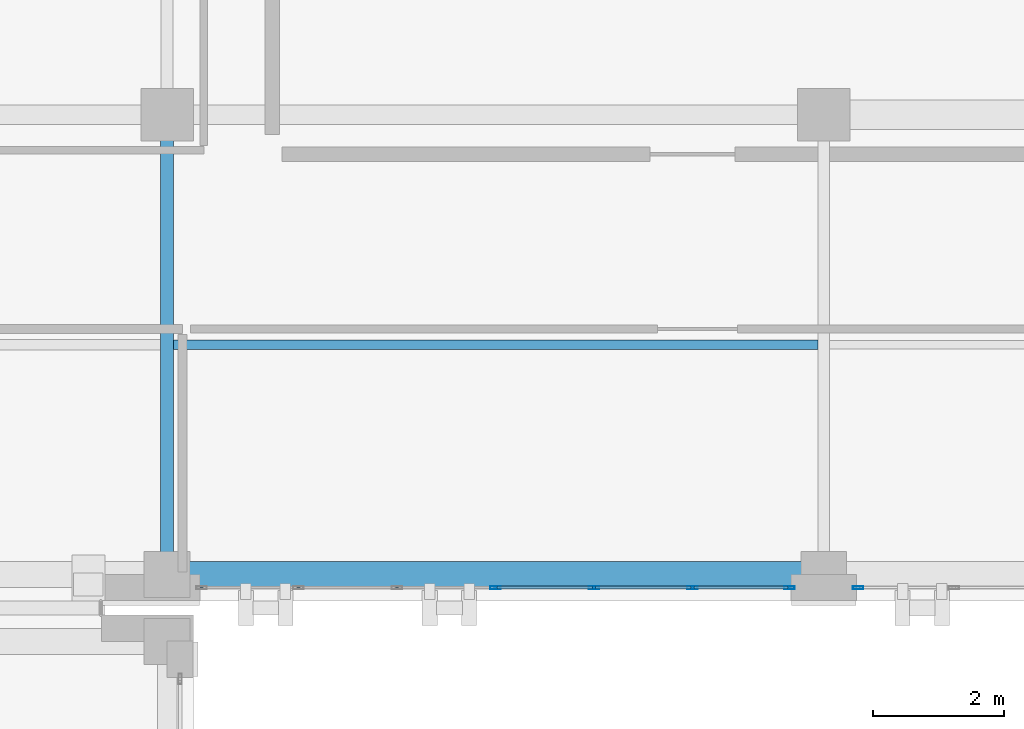
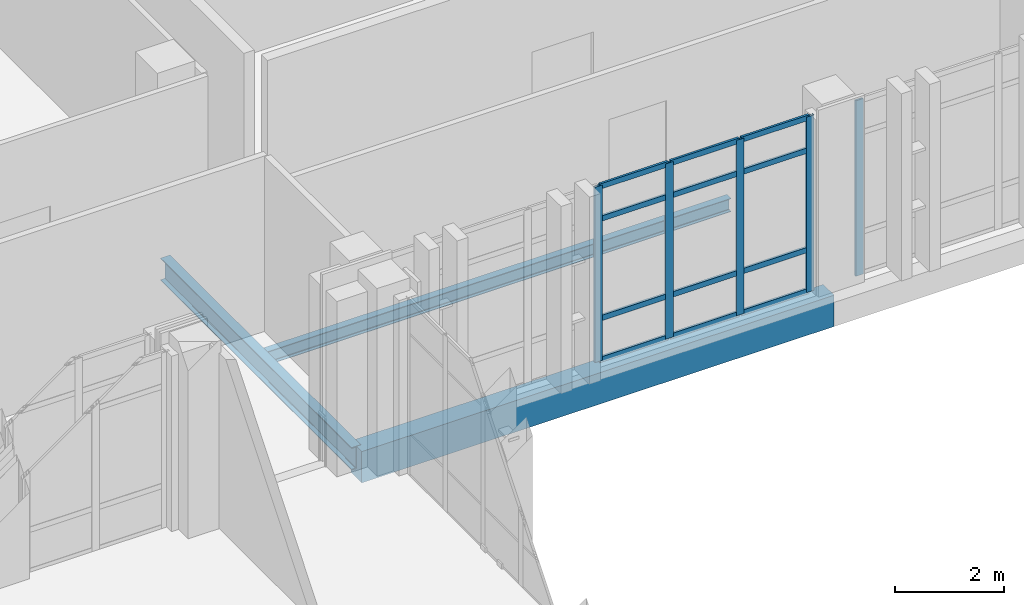
# One storey, part 79 of 158: 17 members, 3 beams, 2 elements without a shape of their own.
"""IFC4 building model written with IfcOpenShell, lengths in metres."""

from ifc_helpers import new_model, si_unit, direction, frame, origin, origin_2d, place, context, subcontext, project, spatial, rectangle, hollow_rectangle, i_section, extrude, material, layer, layer_set, material_profile, profile_set, type_object, element, aggregate, save


model = new_model("IFC4")

# Units and contexts
model_context = context("Model", 3, precision=1e-05, world=origin(), true_north=direction((0.0, 1.0)))
body_context = subcontext(model_context, "Body", "Model", "MODEL_VIEW")
ifc_project = project(units=[si_unit("LENGTHUNIT", "METRE"), si_unit("AREAUNIT", "SQUARE_METRE"), si_unit("VOLUMEUNIT", "CUBIC_METRE"), si_unit("PLANEANGLEUNIT", "RADIAN"), si_unit("MASSUNIT", "GRAM", prefix="KILO")], contexts=[model_context])

# Site, building, storey
site_placement = place(None, origin())
site = spatial("IfcSite", under=ifc_project, at=site_placement, CompositionType="ELEMENT")
building_placement = place(site_placement, origin())
building = spatial("IfcBuilding", under=site, at=building_placement, Name="Qalavern Law Courts", CompositionType="ELEMENT")
storey_placement = place(building_placement, frame((0.0, 0.0, 18.60009765625)))
storey = spatial("IfcBuildingStorey", under=building, at=storey_placement, Name="L04", CompositionType="ELEMENT", Elevation=18.60009765625)

# Curtain wall, members
ifc_material_1 = material(Name="Anodised aluminium and insulated glazing", Category="aluminium")
ifc_layer = layer(ifc_material_1, 0.166015625)
ifc_layer_set = layer_set([ifc_layer], Name="Anodised aluminium and insulated glazing")
curtain_wall_type = type_object("IfcCurtainWallType", Name="ENV-CW-LIB", PredefinedType="USERDEFINED", material=ifc_layer_set)
curtain_wall_1_placement = place(storey_placement, origin())
curtain_wall_1 = element("IfcCurtainWall", 1, at=curtain_wall_1_placement, inside=storey, type_object=curtain_wall_type, Name="V5 unitised curtain wall L04 south 1", ObjectType="UNITISED CURTAIN WALL", PredefinedType="USERDEFINED")
ifc_material_2 = material(Name="Anodised aluminium", Category="aluminium")
ifc_material_profile_1 = material_profile(ifc_material_2, hollow_rectangle(XDim=0.048095703125, YDim=0.159912109375, WallThickness=0.00390625, at=origin_2d()), Name="ALU MULLION 48x160")
ifc_profile_set_1 = profile_set([ifc_material_profile_1], Name="Anodised aluminium")
member_type_1 = type_object("IfcMemberType", Name="ENV-CWM-48x160", PredefinedType="MULLION", material=ifc_profile_set_1)
member_1_placement = place(storey_placement, frame((23.39990234375, 96.39990234375, 0.0), z_axis=(0.0, 0.0, 1.0), x_axis=(0.0, 1.0, 0.0)))
member_1 = element("IfcMember", 2, at=member_1_placement, type_object=member_type_1, Name="CW-05 mullion 4", PredefinedType="MULLION", context=body_context, shape_type="SweptSolid", body=[
    extrude(hollow_rectangle(XDim=0.048095703125, YDim=0.159912109375, WallThickness=0.00390625, at=origin_2d()), origin(), (0.0, 0.0, 1.0), 3.9248046875),
])
member_2_placement = place(storey_placement, frame((24.89990234375, 96.39990234375, 0.0), z_axis=(0.0, 0.0, 1.0), x_axis=(0.0, 1.0, 0.0)))
member_2 = element("IfcMember", 3, at=member_2_placement, type_object=member_type_1, Name="CW-05 mullion 5", PredefinedType="MULLION", context=body_context, shape_type="SweptSolid", body=[
    extrude(hollow_rectangle(XDim=0.048095703125, YDim=0.159912109375, WallThickness=0.00390625, at=origin_2d()), origin(), (0.0, 0.0, 1.0), 3.9248046875),
])
member_3_placement = place(storey_placement, frame((26.39990234375, 96.39990234375, 0.0), z_axis=(0.0, 0.0, 1.0), x_axis=(0.0, 1.0, 0.0)))
member_3 = element("IfcMember", 4, at=member_3_placement, type_object=member_type_1, Name="CW-05 mullion 6", PredefinedType="MULLION", context=body_context, shape_type="SweptSolid", body=[
    extrude(hollow_rectangle(XDim=0.048095703125, YDim=0.159912109375, WallThickness=0.00390625, at=origin_2d()), origin(), (0.0, 0.0, 1.0), 3.9248046875),
])
member_4_placement = place(storey_placement, frame((27.8759765625, 96.39990234375, 0.0), z_axis=(0.0, 0.0, 1.0), x_axis=(0.0, 1.0, 0.0)))
member_4 = element("IfcMember", 5, at=member_4_placement, type_object=member_type_1, Name="CW-05 mullion 7", PredefinedType="MULLION", context=body_context, shape_type="SweptSolid", body=[
    extrude(hollow_rectangle(XDim=0.048095703125, YDim=0.159912109375, WallThickness=0.00390625, at=origin_2d()), origin(), (0.0, 0.0, 1.0), 3.9248046875),
])

# Curtain wall, member
curtain_wall_2_placement = place(storey_placement, origin())
curtain_wall_2 = element("IfcCurtainWall", 6, at=curtain_wall_2_placement, inside=storey, type_object=curtain_wall_type, Name="V5 unitised curtain wall L04 south 2", ObjectType="UNITISED CURTAIN WALL", PredefinedType="USERDEFINED")
member_5_placement = place(storey_placement, frame((28.924072265625, 96.39990234375, 0.0), z_axis=(0.0, 0.0, 1.0), x_axis=(0.0, 1.0, 0.0)))
member_5 = element("IfcMember", 7, at=member_5_placement, type_object=member_type_1, Name="CW-05 mullion 1", PredefinedType="MULLION", context=body_context, shape_type="SweptSolid", body=[
    extrude(hollow_rectangle(XDim=0.048095703125, YDim=0.159912109375, WallThickness=0.00390625, at=origin_2d()), origin(), (0.0, 0.0, 1.0), 3.9248046875),
])
aggregate(curtain_wall_2, [member_5])

# Member
ifc_material_profile_2 = material_profile(ifc_material_2, hollow_rectangle(XDim=0.048095703125, YDim=0.1201171875, WallThickness=0.00390625, at=origin_2d()), Name="ALU TRANSOM 48x120")
ifc_profile_set_2 = profile_set([ifc_material_profile_2], Name="Anodised aluminium")
member_type_2 = type_object("IfcMemberType", Name="ENV-CWT-48x120", PredefinedType="USERDEFINED", material=ifc_profile_set_2)
member_6_placement = place(storey_placement, frame((23.424072265625, 96.39990234375, 0.02392578125), z_axis=(1.0, 0.0, 0.0), x_axis=(0.0, 1.0, 0.0)))
member_6 = element("IfcMember", 8, at=member_6_placement, type_object=member_type_2, Name="CW-05 transom 4.1", ObjectType="TRANSOM", PredefinedType="USERDEFINED", context=body_context, shape_type="SweptSolid", body=[
    extrude(hollow_rectangle(XDim=0.048095703125, YDim=0.1201171875, WallThickness=0.00390625, at=origin_2d()), origin(), (0.0, 0.0, 1.0), 1.451904296875),
])

member_7_placement = place(storey_placement, frame((23.424072265625, 96.39990234375, 0.949951171875), z_axis=(1.0, 0.0, 0.0), x_axis=(0.0, 1.0, 0.0)))
member_7 = element("IfcMember", 9, at=member_7_placement, type_object=member_type_2, Name="CW-05 transom 4.2", ObjectType="TRANSOM", PredefinedType="USERDEFINED", context=body_context, shape_type="SweptSolid", body=[
    extrude(hollow_rectangle(XDim=0.048095703125, YDim=0.1201171875, WallThickness=0.00390625, at=origin_2d()), origin(), (0.0, 0.0, 1.0), 1.451904296875),
])

member_8_placement = place(storey_placement, frame((23.424072265625, 96.39990234375, 3.1748046875), z_axis=(1.0, 0.0, 0.0), x_axis=(0.0, 1.0, 0.0)))
member_8 = element("IfcMember", 10, at=member_8_placement, type_object=member_type_2, Name="CW-05 transom 4.3", ObjectType="TRANSOM", PredefinedType="USERDEFINED", context=body_context, shape_type="SweptSolid", body=[
    extrude(hollow_rectangle(XDim=0.048095703125, YDim=0.1201171875, WallThickness=0.00390625, at=origin_2d()), origin(), (0.0, 0.0, 1.0), 1.451904296875),
])

member_9_placement = place(storey_placement, frame((23.424072265625, 96.39990234375, 3.90087890625), z_axis=(1.0, 0.0, 0.0), x_axis=(0.0, 1.0, 0.0)))
member_9 = element("IfcMember", 11, at=member_9_placement, type_object=member_type_2, Name="CW-05 transom 4.4", ObjectType="TRANSOM", PredefinedType="USERDEFINED", context=body_context, shape_type="SweptSolid", body=[
    extrude(hollow_rectangle(XDim=0.048095703125, YDim=0.1201171875, WallThickness=0.00390625, at=origin_2d()), origin(), (0.0, 0.0, 1.0), 1.451904296875),
])

member_10_placement = place(storey_placement, frame((24.924072265625, 96.39990234375, 0.02392578125), z_axis=(1.0, 0.0, 0.0), x_axis=(0.0, 1.0, 0.0)))
member_10 = element("IfcMember", 12, at=member_10_placement, type_object=member_type_2, Name="CW-05 transom 5.1", ObjectType="TRANSOM", PredefinedType="USERDEFINED", context=body_context, shape_type="SweptSolid", body=[
    extrude(hollow_rectangle(XDim=0.048095703125, YDim=0.1201171875, WallThickness=0.00390625, at=origin_2d()), origin(), (0.0, 0.0, 1.0), 1.451904296875),
])

member_11_placement = place(storey_placement, frame((24.924072265625, 96.39990234375, 0.949951171875), z_axis=(1.0, 0.0, 0.0), x_axis=(0.0, 1.0, 0.0)))
member_11 = element("IfcMember", 13, at=member_11_placement, type_object=member_type_2, Name="CW-05 transom 5.2", ObjectType="TRANSOM", PredefinedType="USERDEFINED", context=body_context, shape_type="SweptSolid", body=[
    extrude(hollow_rectangle(XDim=0.048095703125, YDim=0.1201171875, WallThickness=0.00390625, at=origin_2d()), origin(), (0.0, 0.0, 1.0), 1.451904296875),
])

member_12_placement = place(storey_placement, frame((24.924072265625, 96.39990234375, 3.1748046875), z_axis=(1.0, 0.0, 0.0), x_axis=(0.0, 1.0, 0.0)))
member_12 = element("IfcMember", 14, at=member_12_placement, type_object=member_type_2, Name="CW-05 transom 5.3", ObjectType="TRANSOM", PredefinedType="USERDEFINED", context=body_context, shape_type="SweptSolid", body=[
    extrude(hollow_rectangle(XDim=0.048095703125, YDim=0.1201171875, WallThickness=0.00390625, at=origin_2d()), origin(), (0.0, 0.0, 1.0), 1.451904296875),
])

member_13_placement = place(storey_placement, frame((24.924072265625, 96.39990234375, 3.90087890625), z_axis=(1.0, 0.0, 0.0), x_axis=(0.0, 1.0, 0.0)))
member_13 = element("IfcMember", 15, at=member_13_placement, type_object=member_type_2, Name="CW-05 transom 5.4", ObjectType="TRANSOM", PredefinedType="USERDEFINED", context=body_context, shape_type="SweptSolid", body=[
    extrude(hollow_rectangle(XDim=0.048095703125, YDim=0.1201171875, WallThickness=0.00390625, at=origin_2d()), origin(), (0.0, 0.0, 1.0), 1.451904296875),
])

member_14_placement = place(storey_placement, frame((26.424072265625, 96.39990234375, 0.02392578125), z_axis=(1.0, 0.0, 0.0), x_axis=(0.0, 1.0, 0.0)))
member_14 = element("IfcMember", 16, at=member_14_placement, type_object=member_type_2, Name="CW-05 transom 6.1", ObjectType="TRANSOM", PredefinedType="USERDEFINED", context=body_context, shape_type="SweptSolid", body=[
    extrude(hollow_rectangle(XDim=0.048095703125, YDim=0.1201171875, WallThickness=0.00390625, at=origin_2d()), origin(), (0.0, 0.0, 1.0), 1.427978515625),
])

member_15_placement = place(storey_placement, frame((26.424072265625, 96.39990234375, 0.949951171875), z_axis=(1.0, 0.0, 0.0), x_axis=(0.0, 1.0, 0.0)))
member_15 = element("IfcMember", 17, at=member_15_placement, type_object=member_type_2, Name="CW-05 transom 6.2", ObjectType="TRANSOM", PredefinedType="USERDEFINED", context=body_context, shape_type="SweptSolid", body=[
    extrude(hollow_rectangle(XDim=0.048095703125, YDim=0.1201171875, WallThickness=0.00390625, at=origin_2d()), origin(), (0.0, 0.0, 1.0), 1.427978515625),
])

member_16_placement = place(storey_placement, frame((26.424072265625, 96.39990234375, 3.1748046875), z_axis=(1.0, 0.0, 0.0), x_axis=(0.0, 1.0, 0.0)))
member_16 = element("IfcMember", 18, at=member_16_placement, type_object=member_type_2, Name="CW-05 transom 6.3", ObjectType="TRANSOM", PredefinedType="USERDEFINED", context=body_context, shape_type="SweptSolid", body=[
    extrude(hollow_rectangle(XDim=0.048095703125, YDim=0.1201171875, WallThickness=0.00390625, at=origin_2d()), origin(), (0.0, 0.0, 1.0), 1.427978515625),
])

member_17_placement = place(storey_placement, frame((26.424072265625, 96.39990234375, 3.90087890625), z_axis=(1.0, 0.0, 0.0), x_axis=(0.0, 1.0, 0.0)))
member_17 = element("IfcMember", 19, at=member_17_placement, type_object=member_type_2, Name="CW-05 transom 6.4", ObjectType="TRANSOM", PredefinedType="USERDEFINED", context=body_context, shape_type="SweptSolid", body=[
    extrude(hollow_rectangle(XDim=0.048095703125, YDim=0.1201171875, WallThickness=0.00390625, at=origin_2d()), origin(), (0.0, 0.0, 1.0), 1.427978515625),
])

aggregate(curtain_wall_1, [member_1, member_2, member_3, member_4, member_6, member_7, member_8, member_9, member_10, member_11, member_12, member_13, member_14, member_15, member_16, member_17])

# Beams
ifc_material_3 = material(Name="Steel S355", Category="steel")
ifc_material_profile_3 = material_profile(ifc_material_3, i_section(OverallWidth=0.199951171875, OverallDepth=0.5, WebThickness=0.01025390625, FlangeThickness=0.01611328125, FilletRadius=0.02099609375, at=origin_2d()), Name="IPE 500")
ifc_profile_set_3 = profile_set([ifc_material_profile_3], Name="Steel S355")
beam_type_1 = type_object("IfcBeamType", Name="STR-BM-IPE500", PredefinedType="BEAM", material=ifc_profile_set_3)
beam_1_placement = place(storey_placement, frame((18.39990234375, 96.60009765625, -0.530029296875), z_axis=(0.0, 1.0, 0.0), x_axis=(-1.0, 0.0, 0.0)))
element("IfcBeam", 20, at=beam_1_placement, inside=storey, type_object=beam_type_1, Name="V5 Y-beam 3-1 L04", PredefinedType="BEAM", context=body_context, shape_type="SweptSolid", body=[
    extrude(i_section(OverallWidth=0.199951171875, OverallDepth=0.5, WebThickness=0.01025390625, FlangeThickness=0.01611328125, FilletRadius=0.02099609375, at=origin_2d()), origin(), (0.0, 0.0, 1.0), 7.0),
])
ifc_material_profile_4 = material_profile(ifc_material_3, i_section(OverallWidth=0.14990234375, OverallDepth=0.300048828125, WebThickness=0.007080078125, FlangeThickness=0.0107421875, FilletRadius=0.014892578125, at=origin_2d()), Name="IPE 300")
ifc_profile_set_4 = profile_set([ifc_material_profile_4], Name="Steel S355")
beam_type_2 = type_object("IfcBeamType", Name="STR-JST-IPE300", PredefinedType="JOIST", material=ifc_profile_set_4)
beam_2_placement = place(storey_placement, frame((18.498046875, 100.10009765625, -0.43017578125), z_axis=(1.0, 0.0, 0.0), x_axis=(0.0, 1.0, 0.0)))
element("IfcBeam", 21, at=beam_2_placement, inside=storey, type_object=beam_type_2, Name="V5 secondary joist 3.1.1 L04", PredefinedType="JOIST", context=body_context, shape_type="SweptSolid", body=[
    extrude(i_section(OverallWidth=0.14990234375, OverallDepth=0.300048828125, WebThickness=0.007080078125, FlangeThickness=0.0107421875, FilletRadius=0.014892578125, at=origin_2d()), origin(), (0.0, 0.0, 1.0), 9.81396484375),
])
ifc_material_4 = material(Name="Concrete C40/50", Category="concrete")
ifc_material_profile_5 = material_profile(ifc_material_4, rectangle(XDim=0.39990234375, YDim=0.699951171875, at=origin_2d()), Name="RC 400x700")
ifc_profile_set_5 = profile_set([ifc_material_profile_5], Name="Concrete C40/50")
beam_type_3 = type_object("IfcBeamType", Name="STR-SP-RC400x700", PredefinedType="SPANDREL", material=ifc_profile_set_5)
beam_3_placement = place(storey_placement, frame((18.39990234375, 96.60009765625, -0.630126953125), z_axis=(1.0, 0.0, 0.0), x_axis=(0.0, 1.0, 0.0)))
element("IfcBeam", 22, at=beam_3_placement, inside=storey, type_object=beam_type_3, Name="V5 X-beam 1-3 L04", PredefinedType="SPANDREL", context=body_context, shape_type="SweptSolid", body=[
    extrude(rectangle(XDim=0.39990234375, YDim=0.699951171875, at=origin_2d()), origin(), (0.0, 0.0, 1.0), 10.0),
])

save(model, "model.ifc")
